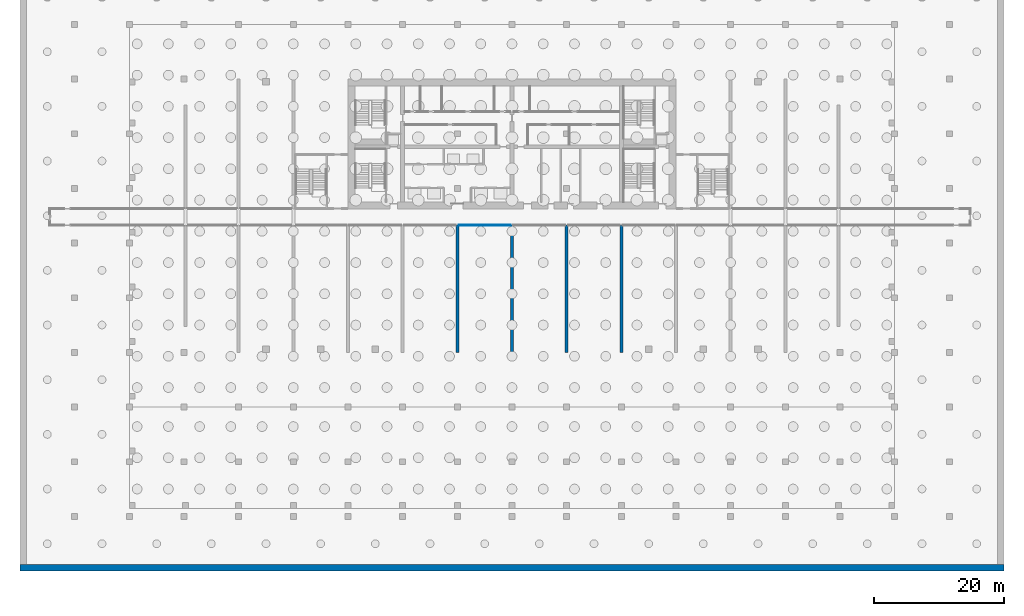
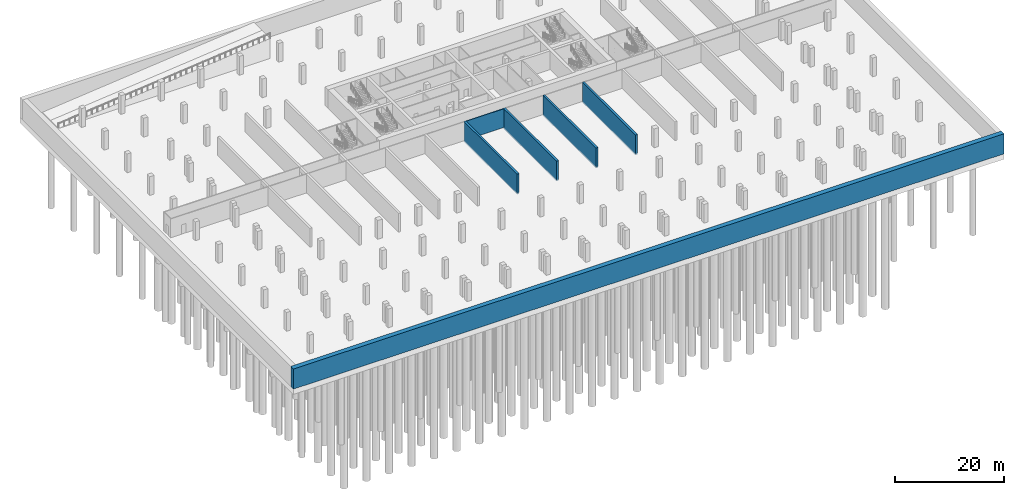
# One storey, part 6 of 17: 6 walls.
"""IFC4 building model written with IfcOpenShell, lengths in metres."""

from ifc_helpers import new_model, si_unit, direction, frame, frame_2d, origin, place, context, subcontext, project, spatial, rectangle, extrude, source, transform, mapped, material, layer, layer_set, type_object, element, save


model = new_model("IFC4")

# Units and contexts
model_context = context("Model", 3, precision=1e-05, world=origin(), true_north=direction((0.0, 1.0)))
body_context = subcontext(model_context, "Body", "Model", "MODEL_VIEW")
ifc_project = project(units=[si_unit("LENGTHUNIT", "METRE"), si_unit("AREAUNIT", "SQUARE_METRE"), si_unit("VOLUMEUNIT", "CUBIC_METRE"), si_unit("PLANEANGLEUNIT", "RADIAN"), si_unit("MASSUNIT", "GRAM", prefix="KILO")], contexts=[model_context])

# Site, building, storey
site_placement = place(None, origin())
site = spatial("IfcSite", under=ifc_project, at=site_placement, CompositionType="ELEMENT")
building_placement = place(site_placement, origin())
building = spatial("IfcBuilding", under=site, at=building_placement, Name="Vanashikhar Sky Hotel", CompositionType="ELEMENT")
storey_placement = place(building_placement, frame((0.0, 0.0, -13.5)))
storey = spatial("IfcBuildingStorey", under=building, at=storey_placement, Name="B3", CompositionType="ELEMENT", Elevation=-13.5)

# Walls
ifc_material_1 = material(Name="Concrete M80", Category="concrete")
ifc_layer_1 = layer(ifc_material_1, 0.449951171875)
ifc_layer_set_1 = layer_set([ifc_layer_1], Name="RC shear wall 450 Concrete M80")
wall_type_1 = type_object("IfcWallType", Name="RC shear wall 450 Concrete M80", PredefinedType="SHEAR", material=ifc_layer_set_1)
shared_shape_1 = source(origin(), body_context, "Body", "SweptSolid", [
    extrude(rectangle(XDim=19.60009765625, YDim=0.449951171875, at=frame_2d((9.800048828125, 0.0))), origin(), (0.0, 0.0, 1.0), 4.52001953125),
])
for number, where, z_axis, x_axis, name in (
    (1, (42.0, 0.0, -0.300048828125), (0.0, 0.0, 1.0), (0.0, 1.0, 0.0), "CW-B3-XW06-1"),
    (2, (50.39990234375, 0.0, -0.300048828125), (0.0, 0.0, 1.0), (0.0, 1.0, 0.0), "CW-B3-XW07-1"),
    (3, (58.800048828125, 0.0, -0.300048828125), (0.0, 0.0, 1.0), (0.0, 1.0, 0.0), "CW-B3-XW08-1"),
    (4, (67.199951171875, 0.0, -0.300048828125), (0.0, 0.0, 1.0), (0.0, 1.0, 0.0), "CW-B3-XW09-1"),
):
    element("IfcWall", number, at=place(storey_placement, frame(where, z_axis=z_axis, x_axis=x_axis)), inside=storey, type_object=wall_type_1, Name=name, PredefinedType="SHEAR", context=body_context, shape_type="MappedRepresentation", body=[
        mapped(shared_shape_1, transform((0.0, 0.0, 0.0), scale=1.0)),
    ])
ifc_material_2 = material(Name="Concrete M50", Category="concrete")
ifc_layer_2 = layer(ifc_material_2, 1.0)
ifc_layer_set_2 = layer_set([ifc_layer_2], Name="RC retaining wall 1000 Concrete M50")
wall_type_2 = type_object("IfcWallType", Name="RC retaining wall 1000 Concrete M50", PredefinedType="SHEAR", material=ifc_layer_set_2)
shared_shape_2 = source(origin(), body_context, "Body", "SweptSolid", [
    extrude(rectangle(XDim=151.199951171875, YDim=1.0, at=frame_2d((75.60009765625, 0.0))), origin(), (0.0, 0.0, 1.0), 4.52001953125),
])
wall_1_placement = place(storey_placement, frame((-25.199951171875, -33.10009765625, -0.300048828125), z_axis=(0.0, 0.0, 1.0), x_axis=(1.0, 0.0, 0.0)))
element("IfcWall", 5, at=wall_1_placement, inside=storey, type_object=wall_type_2, Name="RW-B3-S", PredefinedType="SHEAR", context=body_context, shape_type="MappedRepresentation", body=[
    mapped(shared_shape_2, transform((0.0, 0.0, 0.0), scale=1.0)),
])
ifc_material_3 = material(Name="Concrete M30", Category="concrete")
ifc_layer_3 = layer(ifc_material_3, 0.14990234375)
ifc_layer_set_3 = layer_set([ifc_layer_3], Name="Car park partition 150 mm")
wall_type_3 = type_object("IfcWallType", Name="Car park partition 150 mm", PredefinedType="PARTITIONING", material=ifc_layer_set_3)
shared_shape_3 = source(origin(), body_context, "Body", "SweptSolid", [
    extrude(rectangle(XDim=7.949951171875, YDim=0.14990234375, at=frame_2d((3.97509765625, 0.0))), origin(), (0.0, 0.0, 1.0), 4.219970703125),
])
wall_2_placement = place(storey_placement, frame((42.22509765625, 19.52490234375, 0.0), z_axis=(0.0, 0.0, 1.0), x_axis=(1.0, 0.0, 0.0)))
element("IfcWall", 6, at=wall_2_placement, inside=storey, type_object=wall_type_3, Name="Car park partition", PredefinedType="PARTITIONING", context=body_context, shape_type="MappedRepresentation", body=[
    mapped(shared_shape_3, transform((0.0, 0.0, 0.0), scale=1.0)),
])

save(model, "model.ifc")
